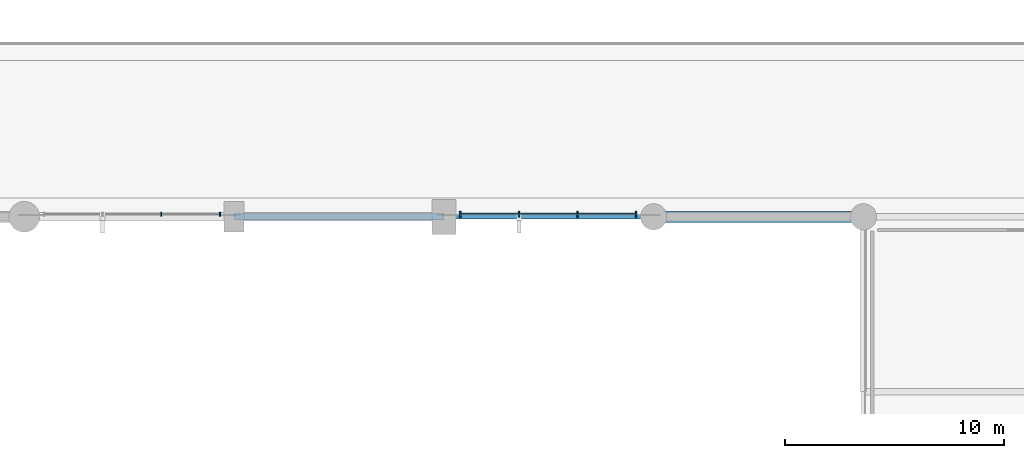
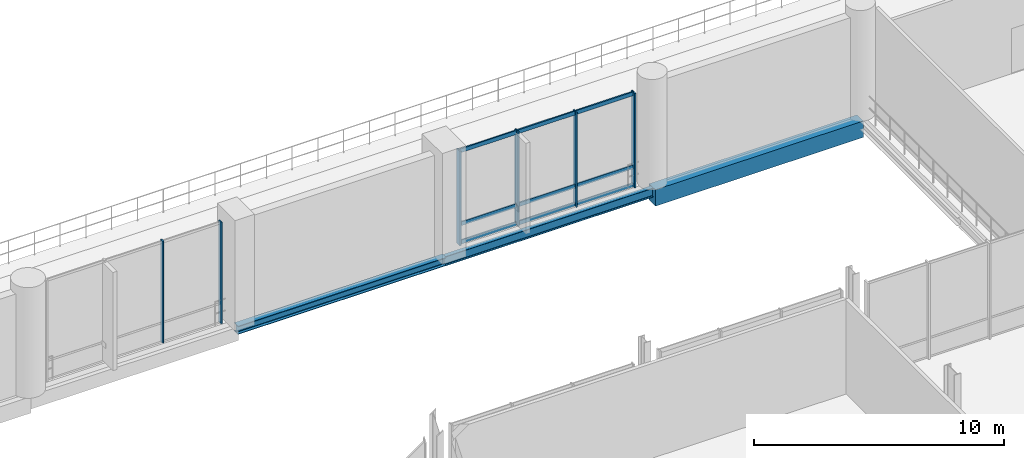
# One storey, part 43 of 129: 9 members, 3 beams, 2 elements without a shape of their own.
"""IFC4 building model written with IfcOpenShell, lengths in metres."""

from ifc_helpers import new_model, si_unit, direction, frame, origin, origin_2d, place, context, subcontext, project, spatial, rectangle, i_section, extrude, material, material_profile, profile_set, type_object, element, aggregate, save


model = new_model("IFC4")

# Units and contexts
model_context = context("Model", 3, precision=1e-05, world=origin(), true_north=direction((0.0, 1.0)))
body_context = subcontext(model_context, "Body", "Model", "MODEL_VIEW")
ifc_project = project(units=[si_unit("LENGTHUNIT", "METRE"), si_unit("AREAUNIT", "SQUARE_METRE"), si_unit("VOLUMEUNIT", "CUBIC_METRE"), si_unit("PLANEANGLEUNIT", "RADIAN"), si_unit("MASSUNIT", "GRAM", prefix="KILO")], contexts=[model_context])

# Site, building, storey
site_placement = place(None, origin())
site = spatial("IfcSite", under=ifc_project, at=site_placement, CompositionType="ELEMENT")
building_placement = place(site_placement, origin())
building = spatial("IfcBuilding", under=site, at=building_placement, Name="Danafjord Basin Convention Centre", CompositionType="ELEMENT")
storey_placement = place(building_placement, frame((0.0, 0.0, 6.0)))
storey = spatial("IfcBuildingStorey", under=building, at=storey_placement, Name="L01", CompositionType="ELEMENT", Elevation=6.0)

# Beams
ifc_material_1 = material(Name="Steel S355", Category="steel")
ifc_material_profile_1 = material_profile(ifc_material_1, i_section(OverallWidth=0.300048828125, OverallDepth=0.39990234375, WebThickness=0.013427734375, FlangeThickness=0.02392578125, FilletRadius=0.027099609375, at=origin_2d()), Name="HEB 400")
ifc_profile_set_1 = profile_set([ifc_material_profile_1], Name="Steel S355")
beam_type_1 = type_object("IfcBeamType", Name="BEAM-SP-HEB400", PredefinedType="SPANDREL", material=ifc_profile_set_1)
beam_1_placement = place(storey_placement, frame((67.199951171875, 56.0, -0.449951171875), z_axis=(1.0, 0.0, 0.0), x_axis=(0.0, 1.0, 0.0)))
element("IfcBeam", 1, at=beam_1_placement, inside=storey, type_object=beam_type_1, Name="L01 girder SP-HEB400", PredefinedType="SPANDREL", context=body_context, shape_type="SweptSolid", body=[
    extrude(i_section(OverallWidth=0.300048828125, OverallDepth=0.39990234375, WebThickness=0.013427734375, FlangeThickness=0.02392578125, FilletRadius=0.027099609375, at=origin_2d()), origin(), (0.0, 0.0, 1.0), 9.60009765625),
])
ifc_material_profile_2 = material_profile(ifc_material_1, i_section(OverallWidth=0.18994140625, OverallDepth=0.449951171875, WebThickness=0.009521484375, FlangeThickness=0.0146484375, FilletRadius=0.02099609375, at=origin_2d()), Name="IPE 450")
ifc_profile_set_2 = profile_set([ifc_material_profile_2], Name="Steel S355")
beam_type_2 = type_object("IfcBeamType", Name="BEAM-SP-IPE450", PredefinedType="SPANDREL", material=ifc_profile_set_2)
beam_2_placement = place(storey_placement, frame((76.800048828125, 56.0, -0.47509765625), z_axis=(1.0, 0.0, 0.0), x_axis=(0.0, 1.0, 0.0)))
element("IfcBeam", 2, at=beam_2_placement, inside=storey, type_object=beam_type_2, Name="L01 girder SP-IPE450", PredefinedType="SPANDREL", context=body_context, shape_type="SweptSolid", body=[
    extrude(i_section(OverallWidth=0.18994140625, OverallDepth=0.449951171875, WebThickness=0.009521484375, FlangeThickness=0.0146484375, FilletRadius=0.02099609375, at=origin_2d()), origin(), (0.0, 0.0, 1.0), 9.599853515625),
])
ifc_material_2 = material(Name="Precast concrete C45/55", Category="concrete")
ifc_material_profile_3 = material_profile(ifc_material_2, rectangle(XDim=0.5, YDim=0.800048828125, at=origin_2d()), Name="PCB 500x800")
ifc_profile_set_3 = profile_set([ifc_material_profile_3], Name="Precast concrete C45/55")
beam_type_3 = type_object("IfcBeamType", Name="BEAM-SP-PCB800", PredefinedType="SPANDREL", material=ifc_profile_set_3)
beam_3_placement = place(storey_placement, frame((86.39990234375, 56.0, -0.64990234375), z_axis=(1.0, 0.0, 0.0), x_axis=(0.0, 1.0, 0.0)))
element("IfcBeam", 3, at=beam_3_placement, inside=storey, type_object=beam_type_3, Name="L01 girder SP-PCB800", PredefinedType="SPANDREL", context=body_context, shape_type="SweptSolid", body=[
    extrude(rectangle(XDim=0.5, YDim=0.800048828125, at=origin_2d()), origin(), (0.0, 0.0, 1.0), 9.60009765625),
])

# Curtain wall, members
ifc_material_3 = material(Name="Anodised aluminium and triple glazing", Category="aluminium")
curtain_wall_type = type_object("IfcCurtainWallType", Name="CW-CW-HALL", PredefinedType="NOTDEFINED", material=ifc_material_3)
curtain_wall_1_placement = place(storey_placement, origin())
curtain_wall_1 = element("IfcCurtainWall", 4, at=curtain_wall_1_placement, inside=storey, type_object=curtain_wall_type, Name="L01 CW-HALL unitised curtain wall bay 6", PredefinedType="NOTDEFINED")
ifc_material_4 = material(Name="Anodised aluminium EN AW-6060", Category="aluminium")
ifc_material_profile_4 = material_profile(ifc_material_4, rectangle(XDim=0.06005859375, YDim=0.179931640625, at=origin_2d()), Name="MULL 60x180")
ifc_profile_set_4 = profile_set([ifc_material_profile_4], Name="Anodised aluminium EN AW-6060")
member_type_1 = type_object("IfcMemberType", Name="MEM-ML-180", PredefinedType="MULLION", material=ifc_profile_set_4)
member_1_placement = place(storey_placement, frame((63.86669921875, 56.1201171875, -0.02490234375), z_axis=(0.0, 0.0, 1.0), x_axis=(1.0, 0.0, 0.0)))
member_1 = element("IfcMember", 5, at=member_1_placement, type_object=member_type_1, Name="CW-L01-006 mullion 3", PredefinedType="MULLION", context=body_context, shape_type="SweptSolid", body=[
    extrude(rectangle(XDim=0.06005859375, YDim=0.179931640625, at=origin_2d()), origin(), (0.0, 0.0, 1.0), 4.98486328125),
])
member_2_placement = place(storey_placement, frame((66.550048828125, 56.1201171875, -0.02490234375), z_axis=(0.0, 0.0, 1.0), x_axis=(1.0, 0.0, 0.0)))
member_2 = element("IfcMember", 6, at=member_2_placement, type_object=member_type_1, Name="CW-L01-006 mullion 4", PredefinedType="MULLION", context=body_context, shape_type="SweptSolid", body=[
    extrude(rectangle(XDim=0.06005859375, YDim=0.179931640625, at=origin_2d()), origin(), (0.0, 0.0, 1.0), 4.98486328125),
])
aggregate(curtain_wall_1, [member_1, member_2])

curtain_wall_2_placement = place(storey_placement, origin())
curtain_wall_2 = element("IfcCurtainWall", 7, at=curtain_wall_2_placement, inside=storey, type_object=curtain_wall_type, Name="L01 CW-HALL unitised curtain wall bay 8", PredefinedType="NOTDEFINED")
ifc_material_profile_5 = material_profile(ifc_material_4, rectangle(XDim=0.070068359375, YDim=0.260009765625, at=origin_2d()), Name="MULL 70x260")
ifc_profile_set_5 = profile_set([ifc_material_profile_5], Name="Anodised aluminium EN AW-6060")
member_type_2 = type_object("IfcMemberType", Name="MEM-ML-260", PredefinedType="MULLION", material=ifc_profile_set_5)
member_3_placement = place(storey_placement, frame((77.550048828125, 56.1201171875, -0.02490234375), z_axis=(0.0, 0.0, 1.0), x_axis=(1.0, 0.0, 0.0)))
member_3 = element("IfcMember", 8, at=member_3_placement, type_object=member_type_2, Name="CW-L01-008 mullion 1", PredefinedType="MULLION", context=body_context, shape_type="SweptSolid", body=[
    extrude(rectangle(XDim=0.070068359375, YDim=0.260009765625, at=origin_2d()), origin(), (0.0, 0.0, 1.0), 4.614990234375),
])
member_4_placement = place(storey_placement, frame((80.2333984375, 56.1201171875, -0.02490234375), z_axis=(0.0, 0.0, 1.0), x_axis=(1.0, 0.0, 0.0)))
member_4 = element("IfcMember", 9, at=member_4_placement, type_object=member_type_2, Name="CW-L01-008 mullion 2", PredefinedType="MULLION", context=body_context, shape_type="SweptSolid", body=[
    extrude(rectangle(XDim=0.070068359375, YDim=0.260009765625, at=origin_2d()), origin(), (0.0, 0.0, 1.0), 4.614990234375),
])
member_5_placement = place(storey_placement, frame((82.916748046875, 56.1201171875, -0.02490234375), z_axis=(0.0, 0.0, 1.0), x_axis=(1.0, 0.0, 0.0)))
member_5 = element("IfcMember", 10, at=member_5_placement, type_object=member_type_2, Name="CW-L01-008 mullion 3", PredefinedType="MULLION", context=body_context, shape_type="SweptSolid", body=[
    extrude(rectangle(XDim=0.070068359375, YDim=0.260009765625, at=origin_2d()), origin(), (0.0, 0.0, 1.0), 4.614990234375),
])
member_6_placement = place(storey_placement, frame((85.60009765625, 56.1201171875, -0.02490234375), z_axis=(0.0, 0.0, 1.0), x_axis=(1.0, 0.0, 0.0)))
member_6 = element("IfcMember", 11, at=member_6_placement, type_object=member_type_2, Name="CW-L01-008 mullion 4", PredefinedType="MULLION", context=body_context, shape_type="SweptSolid", body=[
    extrude(rectangle(XDim=0.070068359375, YDim=0.260009765625, at=origin_2d()), origin(), (0.0, 0.0, 1.0), 4.614990234375),
])
ifc_material_profile_6 = material_profile(ifc_material_4, rectangle(XDim=0.06494140625, YDim=0.18994140625, at=origin_2d()), Name="TRAN 65x190")
ifc_profile_set_6 = profile_set([ifc_material_profile_6], Name="Anodised aluminium EN AW-6060")
member_type_3 = type_object("IfcMemberType", Name="MEM-TR-190", PredefinedType="USERDEFINED", material=ifc_profile_set_6)
member_7_placement = place(storey_placement, frame((77.550048828125, 56.1201171875, 0.06005859375), z_axis=(1.0, 0.0, 0.0), x_axis=(0.0, 1.0, 0.0)))
member_7 = element("IfcMember", 12, at=member_7_placement, type_object=member_type_3, Name="CW-L01-008 transom 1", ObjectType="TRANSOM", PredefinedType="USERDEFINED", context=body_context, shape_type="SweptSolid", body=[
    extrude(rectangle(XDim=0.06494140625, YDim=0.18994140625, at=origin_2d()), origin(), (0.0, 0.0, 1.0), 8.050048828125),
])
member_8_placement = place(storey_placement, frame((77.550048828125, 56.1201171875, 0.949951171875), z_axis=(1.0, 0.0, 0.0), x_axis=(0.0, 1.0, 0.0)))
member_8 = element("IfcMember", 13, at=member_8_placement, type_object=member_type_3, Name="CW-L01-008 transom 2", ObjectType="TRANSOM", PredefinedType="USERDEFINED", context=body_context, shape_type="SweptSolid", body=[
    extrude(rectangle(XDim=0.06494140625, YDim=0.18994140625, at=origin_2d()), origin(), (0.0, 0.0, 1.0), 8.050048828125),
])
member_9_placement = place(storey_placement, frame((77.550048828125, 56.1201171875, 4.52001953125), z_axis=(1.0, 0.0, 0.0), x_axis=(0.0, 1.0, 0.0)))
member_9 = element("IfcMember", 14, at=member_9_placement, type_object=member_type_3, Name="CW-L01-008 transom 3", ObjectType="TRANSOM", PredefinedType="USERDEFINED", context=body_context, shape_type="SweptSolid", body=[
    extrude(rectangle(XDim=0.06494140625, YDim=0.18994140625, at=origin_2d()), origin(), (0.0, 0.0, 1.0), 8.050048828125),
])
aggregate(curtain_wall_2, [member_3, member_4, member_5, member_6, member_7, member_8, member_9])

save(model, "model.ifc")
